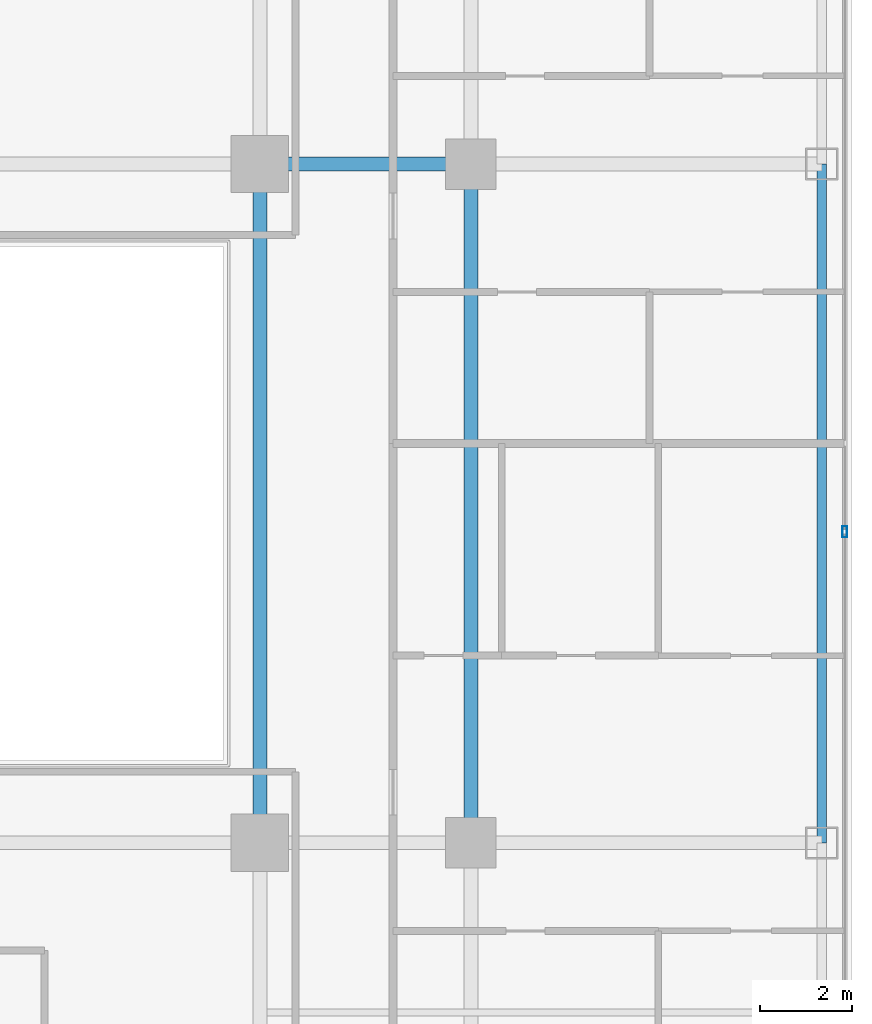
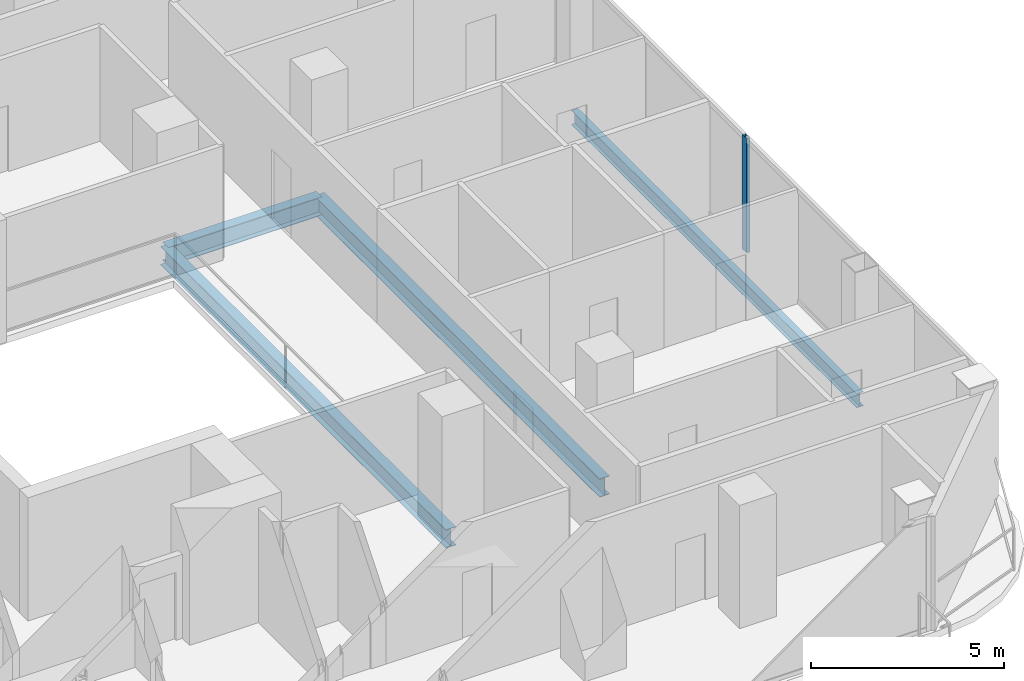
# One storey, part 10 of 27: 4 beams, 1 member, 1 element without a shape of its own.
"""IFC4 building model written with IfcOpenShell, lengths in metres."""

import ifcopenshell
import ifcopenshell.guid

model = None  # the IFC model being written
_history = None  # IfcOwnerHistory: only IFC2X3 demands one
_inside = {}  # id of a spatial element -> (the spatial element, [elements in it])
_under = {}  # id of a project, library or spatial element -> (it, [spatial elements below it])
_declared = {}  # id of a project -> (the project, [libraries it declares])
_typed = {}  # id of a type object -> (the type object, [elements of that type])
_made_of = {}  # id of a material, layer set ... -> (it, [elements and type objects made of it])


def new_model(schema):
    """Start an empty IFC model of exactly this schema.

    Asked for "IFC4X3", IfcOpenShell would pick the latest addendum, in which some entities
    have other attributes; the version numbers below select the first issue.
    IFC2X3 requires an IfcOwnerHistory on every rooted entity: one is made here for all.
    """
    global model, _history
    if schema == "IFC4X3":
        model = ifcopenshell.file(schema_version=(4, 3, 0, 0))
    else:
        model = ifcopenshell.file(schema=schema)
    _inside.clear()
    _under.clear()
    _declared.clear()
    _typed.clear()
    _made_of.clear()
    _history = None
    if model.schema == "IFC2X3":
        org = make("IfcOrganization", Name="unknown")
        user = make(
            "IfcPersonAndOrganization",
            ThePerson=make("IfcPerson", FamilyName="unknown"),
            TheOrganization=org,
        )
        app = make(
            "IfcApplication",
            ApplicationDeveloper=org,
            Version="unknown",
            ApplicationFullName="unknown",
            ApplicationIdentifier="unknown",
        )
        _history = make(
            "IfcOwnerHistory",
            OwningUser=user,
            OwningApplication=app,
            ChangeAction="ADDED",
            CreationDate=0,
        )
    return model


def make(cls, **values):
    """One entity of the class cls with the attributes given. An attribute that is None is left unset."""
    return model.create_entity(
        cls, **{name: value for name, value in values.items() if value is not None}
    )


def rooted(cls, **values):
    """An entity with a GlobalId (a new one), such as an element, a storey or a relation."""
    return make(cls, GlobalId=ifcopenshell.guid.new(), OwnerHistory=_history, **values)


def si_unit(unit_type, name, prefix=None):
    """IfcSIUnit, for example si_unit("LENGTHUNIT", "METRE", prefix="MILLI")."""
    return make("IfcSIUnit", UnitType=unit_type, Prefix=prefix, Name=name)


def assignment(units):
    """IfcUnitAssignment: the units of a project."""
    return None if units is None else make("IfcUnitAssignment", Units=units)


def point(xyz):
    """IfcCartesianPoint."""
    return None if xyz is None else make("IfcCartesianPoint", Coordinates=xyz)


def direction(xyz):
    """IfcDirection."""
    return None if xyz is None else make("IfcDirection", DirectionRatios=xyz)


def frame(location, z_axis=None, x_axis=None):
    """IfcAxis2Placement3D, a coordinate frame: its origin and axes. An axis left out is left unset."""
    return make(
        "IfcAxis2Placement3D",
        Location=point(location),
        Axis=direction(z_axis),
        RefDirection=direction(x_axis),
    )


def frame_2d(location, x_axis=None):
    """IfcAxis2Placement2D, a coordinate frame in the plane: its origin and x axis."""
    return make(
        "IfcAxis2Placement2D", Location=point(location), RefDirection=direction(x_axis)
    )


def origin():
    """The frame at (0, 0, 0) with its axes left unset."""
    return frame((0.0, 0.0, 0.0))


def origin_2d():
    """The frame at (0, 0) in the plane with its x axis left unset."""
    return frame_2d((0.0, 0.0))


def place(relative_to, where):
    """IfcLocalPlacement: puts the frame where relative to a parent placement (None: the world)."""
    return make(
        "IfcLocalPlacement", PlacementRelTo=relative_to, RelativePlacement=where
    )


def context(
    kind, dimensions, precision=None, world=None, true_north=None, identifier=None
):
    """IfcGeometricRepresentationContext, for example the 3D "Model" context."""
    return make(
        "IfcGeometricRepresentationContext",
        ContextIdentifier=identifier,
        ContextType=kind,
        CoordinateSpaceDimension=dimensions,
        Precision=precision,
        WorldCoordinateSystem=world,
        TrueNorth=true_north,
    )


def subcontext(parent, identifier, kind, view, scale=None):
    """IfcGeometricRepresentationSubContext, for example "Body" below "Model"."""
    return make(
        "IfcGeometricRepresentationSubContext",
        ContextIdentifier=identifier,
        ContextType=kind,
        ParentContext=parent,
        TargetScale=scale,
        TargetView=view,
    )


def project(units=None, contexts=None):
    """IfcProject with its units and contexts."""
    return rooted(
        "IfcProject",
        Name="project",
        RepresentationContexts=contexts,
        UnitsInContext=assignment(units),
    )


def spatial(cls, under=None, at=None, **own):
    """A site, building, storey or space (cls), placed at a placement, below another one or the project."""
    s = rooted(cls, ObjectPlacement=at, **own)
    if under is not None:
        _under.setdefault(under.id(), (under, []))[1].append(s)
    return s


def profile(cls, at=None, kind="AREA", **sizes):
    """A parametric profile (cls). Its sizes go by their IFC names, for example OverallWidth=200.0."""
    return make(cls, ProfileType=kind, Position=at, **sizes)


def hollow_rectangle(**sizes):
    """IfcRectangleHollowProfileDef."""
    return profile("IfcRectangleHollowProfileDef", **sizes)


def i_section(**sizes):
    """IfcIShapeProfileDef."""
    return profile("IfcIShapeProfileDef", **sizes)


def extrude(swept, where, along, depth):
    """IfcExtrudedAreaSolid: the profile swept, set in the frame where, extruded along a direction by depth."""
    return make(
        "IfcExtrudedAreaSolid",
        SweptArea=swept,
        Position=where,
        ExtrudedDirection=direction(along),
        Depth=depth,
    )


def shape(context_of_items, identifier, shape_type, items):
    """IfcShapeRepresentation: the items that make up one representation, for example the "Body"."""
    return make(
        "IfcShapeRepresentation",
        ContextOfItems=context_of_items,
        RepresentationIdentifier=identifier,
        RepresentationType=shape_type,
        Items=items,
    )


def material(Name=None, Category=None):
    """IfcMaterial."""
    return make("IfcMaterial", Name=Name, Category=Category)


def layer(
    of_material, thickness, ventilated=None, Name=None, Category=None, Priority=None
):
    """IfcMaterialLayer: one layer of a wall or slab, of a material (None: an air gap)."""
    return make(
        "IfcMaterialLayer",
        Material=of_material,
        LayerThickness=thickness,
        IsVentilated=ventilated,
        Name=Name,
        Category=Category,
        Priority=Priority,
    )


def layer_set(layers, Name=None):
    """IfcMaterialLayerSet."""
    return make("IfcMaterialLayerSet", MaterialLayers=layers, LayerSetName=Name)


def material_profile(
    of_material, cross_section, Name=None, Category=None, Priority=None
):
    """IfcMaterialProfile: a cross section and its material."""
    return make(
        "IfcMaterialProfile",
        Name=Name,
        Material=of_material,
        Profile=cross_section,
        Priority=Priority,
        Category=Category,
    )


def profile_set(profiles, Name=None, composite=None):
    """IfcMaterialProfileSet."""
    return make(
        "IfcMaterialProfileSet",
        Name=Name,
        MaterialProfiles=profiles,
        CompositeProfile=composite,
    )


def made_of(thing, what):
    """Note that an element or type object is made of a material, layer set ...; save() writes the relation."""
    if what is not None:
        _made_of.setdefault(what.id(), (what, []))[1].append(thing)
    return thing


def type_object(cls, material=None, **own):
    """A type object (cls), such as IfcWallType, which elements share."""
    return made_of(rooted(cls, **own), material)


def element(
    cls,
    number,
    at=None,
    inside=None,
    cuts=None,
    type_object=None,
    material=None,
    context=None,
    identifier="Body",
    shape_type=None,
    held_by="IfcProductDefinitionShape",
    body=None,
    shapes=None,
    **own,
):
    """One element of the class cls, such as IfcWall. Its Tag is "e" and its number.

    at: its placement. inside: the storey or other place that contains it. cuts: it is an
    opening in that element (IfcRelVoidsElement). A single representation is given by context,
    identifier, shape_type and body (its items); several are given by shapes. held_by: the class
    of the entity that holds the representations. save() writes the other relations.
    """
    e = rooted(cls, Tag="e%d" % number, ObjectPlacement=at, **own)
    if body is not None:
        shapes = [shape(context, identifier, shape_type, body)]
    if shapes is not None:
        e.Representation = make(held_by, Representations=shapes)
    if inside is not None:
        _inside.setdefault(inside.id(), (inside, []))[1].append(e)
    if cuts is not None:
        rooted(
            "IfcRelVoidsElement", RelatingBuildingElement=cuts, RelatedOpeningElement=e
        )
    if type_object is not None:
        _typed.setdefault(type_object.id(), (type_object, []))[1].append(e)
    return made_of(e, material)


def aggregate(whole, parts):
    """IfcRelAggregates: a whole, such as a stair, and the parts it consists of."""
    return rooted("IfcRelAggregates", RelatingObject=whole, RelatedObjects=parts)


def save(model, path):
    """Write the relations noted so far, then the file.

    IfcRelAggregates (storeys below a building ...), IfcRelContainedInSpatialStructure (elements
    in a storey), IfcRelDefinesByType, IfcRelAssociatesMaterial and IfcRelDeclares: one each for
    every whole, place, type object, material and project.
    """
    for whole, parts in _under.values():
        aggregate(whole, parts)
    for where, things in _inside.values():
        rooted(
            "IfcRelContainedInSpatialStructure",
            RelatedElements=things,
            RelatingStructure=where,
        )
    for kind, things in _typed.values():
        rooted("IfcRelDefinesByType", RelatedObjects=things, RelatingType=kind)
    for what, things in _made_of.values():
        rooted("IfcRelAssociatesMaterial", RelatedObjects=things, RelatingMaterial=what)
    for by, libraries in _declared.values():
        rooted("IfcRelDeclares", RelatingContext=by, RelatedDefinitions=libraries)
    model.write(path)


model = new_model("IFC4")

# Units and contexts
model_context = context("Model", 3, precision=1e-05, world=origin(), true_north=direction((0.0, 1.0)))
body_context = subcontext(model_context, "Body", "Model", "MODEL_VIEW")
ifc_project = project(units=[si_unit("LENGTHUNIT", "METRE"), si_unit("AREAUNIT", "SQUARE_METRE"), si_unit("VOLUMEUNIT", "CUBIC_METRE"), si_unit("PLANEANGLEUNIT", "RADIAN"), si_unit("MASSUNIT", "GRAM", prefix="KILO")], contexts=[model_context])

# Site, building, storey
site_placement = place(None, origin())
site = spatial("IfcSite", under=ifc_project, at=site_placement, CompositionType="ELEMENT")
building_placement = place(site_placement, origin())
building = spatial("IfcBuilding", under=site, at=building_placement, Name="Khorvyn Point Tower", CompositionType="ELEMENT")
storey_placement = place(building_placement, frame((0.0, 0.0, 132.89990234375)))
storey = spatial("IfcBuildingStorey", under=building, at=storey_placement, Name="L33", CompositionType="ELEMENT", Elevation=132.89990234375)

# Curtain wall, member
ifc_material_1 = material(Name="Anodised aluminium 6063-T6 and laminated Low-E glass", Category="aluminium")
ifc_layer = layer(ifc_material_1, 0.18994140625)
ifc_layer_set = layer_set([ifc_layer], Name="Stick-Built Acoustic Curtain Wall CW-SYS-03")
curtain_wall_type = type_object("IfcCurtainWallType", Name="Stick-Built Acoustic Curtain Wall CW-SYS-03", PredefinedType="NOTDEFINED", material=ifc_layer_set)
curtain_wall_placement = place(storey_placement, origin())
curtain_wall = element("IfcCurtainWall", 1, at=curtain_wall_placement, inside=storey, type_object=curtain_wall_type, Name="Curtain Wall", PredefinedType="NOTDEFINED")
ifc_material_2 = material(Name="Anodised aluminium 6063-T6", Category="aluminium")
ifc_material_profile_1 = material_profile(ifc_material_2, hollow_rectangle(XDim=0.10009765625, YDim=0.239990234375, WallThickness=0.0048828125, at=origin_2d()))
ifc_profile_set_1 = profile_set([ifc_material_profile_1], Name="Anodised aluminium 6063-T6 ALU-MUL-100x240")
member_type = type_object("IfcMemberType", Name="Anodised Aluminium 6063-T6 Mullion ALU-MUL-100x240", PredefinedType="MULLION", material=ifc_profile_set_1)
member_placement = place(storey_placement, frame((27.550048828125, -0.61669921875, 0.0), z_axis=(0.0, 0.0, 1.0), x_axis=(1.0, 0.0, 0.0)))
member = element("IfcMember", 2, at=member_placement, type_object=member_type, Name="Transom", PredefinedType="MULLION", context=body_context, shape_type="SweptSolid", body=[
    extrude(hollow_rectangle(XDim=0.10009765625, YDim=0.239990234375, WallThickness=0.0048828125, at=origin_2d()), origin(), (0.0, 0.0, 1.0), 3.6201171875),
])
aggregate(curtain_wall, [member])

# Beams
ifc_material_3 = material(Name="Steel S355", Category="steel")
ifc_material_profile_2 = material_profile(ifc_material_3, i_section(OverallWidth=0.300048828125, OverallDepth=0.587890625, WebThickness=0.011962890625, FlangeThickness=0.02001953125, at=origin_2d()))
ifc_profile_set_2 = profile_set([ifc_material_profile_2], Name="Steel S355 H588x300x12x20")
beam_type_1 = type_object("IfcBeamType", Name="Steel S355 Beam H588x300x12x20", PredefinedType="BEAM", material=ifc_profile_set_2)
beam_1_placement = place(storey_placement, frame((14.800048828125, 7.39990234375, -0.513916015625), z_axis=(1.0, 0.0, 0.0), x_axis=(0.0, 1.0, 0.0)))
element("IfcBeam", 3, at=beam_1_placement, inside=storey, type_object=beam_type_1, Name="Beam", PredefinedType="BEAM", context=body_context, shape_type="SweptSolid", body=[
    extrude(i_section(OverallWidth=0.300048828125, OverallDepth=0.587890625, WebThickness=0.011962890625, FlangeThickness=0.02001953125, at=origin_2d()), origin(), (0.0, 0.0, 1.0), 4.599853515625),
])
for number, where, z_axis, x_axis, name in (
    (4, (14.800048828125, -7.39990234375, -0.513916015625), (0.0, 1.0, 0.0), (-1.0, 0.0, 0.0), "Beam"),
    (5, (19.39990234375, -7.39990234375, -0.513916015625), (0.0, 1.0, 0.0), (-1.0, 0.0, 0.0), "Beam"),
):
    element("IfcBeam", number, at=place(storey_placement, frame(where, z_axis=z_axis, x_axis=x_axis)), inside=storey, type_object=beam_type_1, Name=name, PredefinedType="BEAM", context=body_context, shape_type="SweptSolid", body=[
        extrude(i_section(OverallWidth=0.300048828125, OverallDepth=0.587890625, WebThickness=0.011962890625, FlangeThickness=0.02001953125, at=origin_2d()), origin(), (0.0, 0.0, 1.0), 14.7998046875),
    ])
ifc_material_profile_3 = material_profile(ifc_material_3, i_section(OverallWidth=0.199951171875, OverallDepth=0.449951171875, WebThickness=0.009033203125, FlangeThickness=0.013916015625, at=origin_2d()))
ifc_profile_set_3 = profile_set([ifc_material_profile_3], Name="Steel S355 H450x200x9x14")
beam_type_2 = type_object("IfcBeamType", Name="Steel S355 Spandrel H450x200x9x14", PredefinedType="SPANDREL", material=ifc_profile_set_3)
beam_2_placement = place(storey_placement, frame((27.050048828125, -7.39990234375, -0.44482421875), z_axis=(0.0, 1.0, 0.0), x_axis=(-1.0, 0.0, 0.0)))
element("IfcBeam", 6, at=beam_2_placement, inside=storey, type_object=beam_type_2, Name="Beam", PredefinedType="SPANDREL", context=body_context, shape_type="SweptSolid", body=[
    extrude(i_section(OverallWidth=0.199951171875, OverallDepth=0.449951171875, WebThickness=0.009033203125, FlangeThickness=0.013916015625, at=origin_2d()), origin(), (0.0, 0.0, 1.0), 14.7998046875),
])

save(model, "model.ifc")
